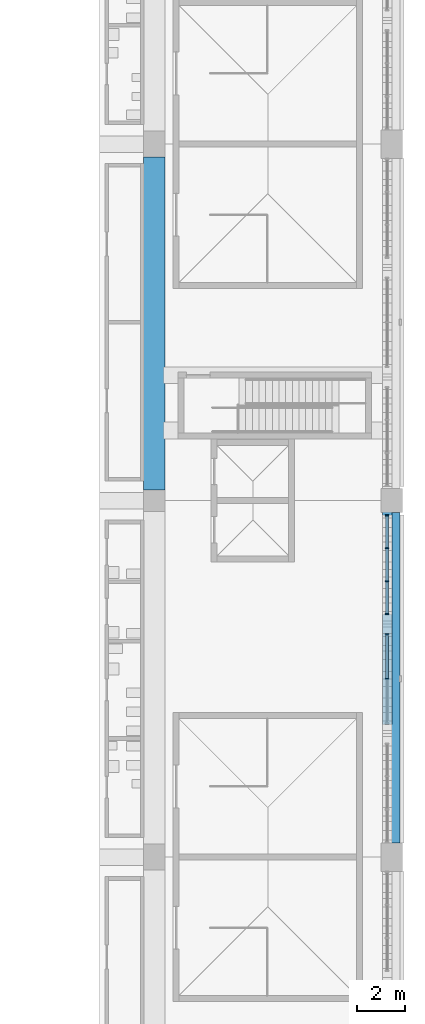
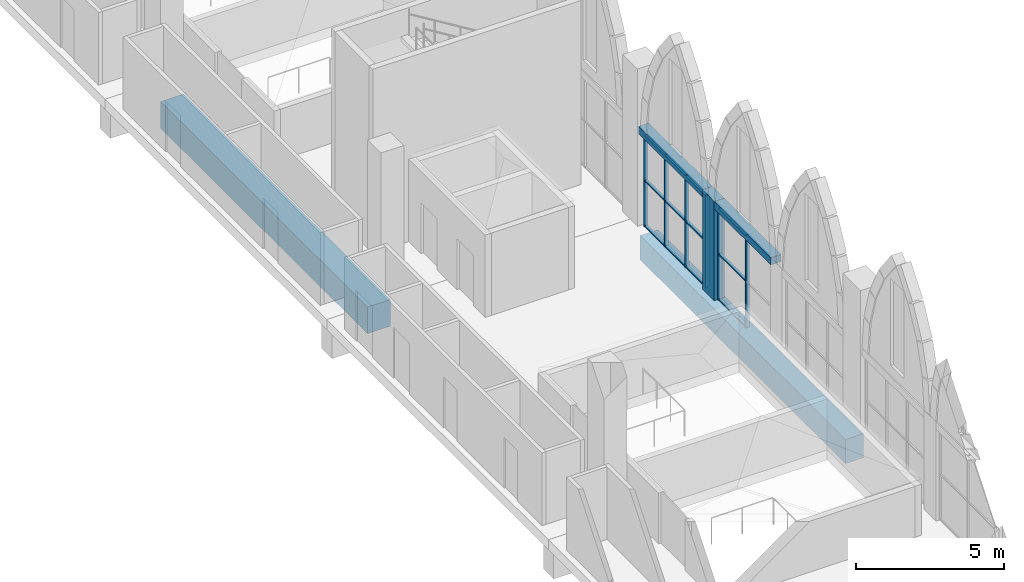
# One storey, part 25 of 130: 19 members, 4 beams, 2 elements without a shape of their own.
"""IFC4 building model written with IfcOpenShell, lengths in metres."""

from ifc_helpers import new_model, si_unit, direction, frame, origin, origin_2d, place, context, subcontext, project, spatial, rectangle, extrude, material, material_profile, profile_set, type_object, element, aggregate, save


model = new_model("IFC4")

# Units and contexts
model_context = context("Model", 3, precision=1e-05, world=origin(), true_north=direction((0.0, 1.0)))
body_context = subcontext(model_context, "Body", "Model", "MODEL_VIEW")
ifc_project = project(units=[si_unit("LENGTHUNIT", "METRE"), si_unit("AREAUNIT", "SQUARE_METRE"), si_unit("VOLUMEUNIT", "CUBIC_METRE"), si_unit("PLANEANGLEUNIT", "RADIAN"), si_unit("MASSUNIT", "GRAM", prefix="KILO")], contexts=[model_context])

# Site, building, storey
site_placement = place(None, origin())
site = spatial("IfcSite", under=ifc_project, at=site_placement, CompositionType="ELEMENT")
building_placement = place(site_placement, origin())
building = spatial("IfcBuilding", under=site, at=building_placement, Name="Ogive Plaza Stadium", CompositionType="ELEMENT")
storey_placement = place(building_placement, frame((0.0, 0.0, 22.5)))
storey = spatial("IfcBuildingStorey", under=building, at=storey_placement, Name="L05", CompositionType="ELEMENT", Elevation=22.5)

# Curtain wall, members
ifc_material_1 = material(Name="Bronze-anodised aluminium with laminated glass", Category="aluminium")
curtain_wall_type = type_object("IfcCurtainWallType", Name="Lancet curtain wall", PredefinedType="NOTDEFINED", material=ifc_material_1)
curtain_wall_1_placement = place(storey_placement, origin())
curtain_wall_1 = element("IfcCurtainWall", 1, at=curtain_wall_1_placement, inside=storey, type_object=curtain_wall_type, Name="CURTAIN WALL B05 L05", PredefinedType="NOTDEFINED")
ifc_material_2 = material(Name="Bronze-anodised aluminium", Category="aluminium")
ifc_material_profile_1 = material_profile(ifc_material_2, rectangle(XDim=0.14990234375, YDim=0.050048828125, at=origin_2d()), Name="AL 150x50")
ifc_profile_set_1 = profile_set([ifc_material_profile_1], Name="Bronze-anodised aluminium")
member_type_1 = type_object("IfcMemberType", Name="Curtain wall mullion 50x150", PredefinedType="MULLION", material=ifc_profile_set_1)
member_1_placement = place(storey_placement, frame((83.800048828125, -8.125, 0.0), z_axis=(0.0, 0.0, 1.0), x_axis=(1.0, 0.0, 0.0)))
member_1 = element("IfcMember", 2, at=member_1_placement, type_object=member_type_1, Name="CW-B05-L05.1 mullion 1", PredefinedType="MULLION", context=body_context, shape_type="SweptSolid", body=[
    extrude(rectangle(XDim=0.14990234375, YDim=0.050048828125, at=origin_2d()), origin(), (0.0, 0.0, 1.0), 3.800048828125),
])
member_2_placement = place(storey_placement, frame((83.800048828125, -9.5, 0.0), z_axis=(0.0, 0.0, 1.0), x_axis=(1.0, 0.0, 0.0)))
member_2 = element("IfcMember", 3, at=member_2_placement, type_object=member_type_1, Name="CW-B05-L05.1 mullion 2", PredefinedType="MULLION", context=body_context, shape_type="SweptSolid", body=[
    extrude(rectangle(XDim=0.14990234375, YDim=0.050048828125, at=origin_2d()), origin(), (0.0, 0.0, 1.0), 3.800048828125),
])
member_3_placement = place(storey_placement, frame((83.800048828125, -10.89990234375, 0.0), z_axis=(0.0, 0.0, 1.0), x_axis=(1.0, 0.0, 0.0)))
member_3 = element("IfcMember", 4, at=member_3_placement, type_object=member_type_1, Name="CW-B05-L05.1 mullion 3", PredefinedType="MULLION", context=body_context, shape_type="SweptSolid", body=[
    extrude(rectangle(XDim=0.14990234375, YDim=0.050048828125, at=origin_2d()), origin(), (0.0, 0.0, 1.0), 3.800048828125),
])
member_4_placement = place(storey_placement, frame((83.800048828125, -12.27490234375, 0.0), z_axis=(0.0, 0.0, 1.0), x_axis=(1.0, 0.0, 0.0)))
member_4 = element("IfcMember", 5, at=member_4_placement, type_object=member_type_1, Name="CW-B05-L05.1 mullion 4", PredefinedType="MULLION", context=body_context, shape_type="SweptSolid", body=[
    extrude(rectangle(XDim=0.14990234375, YDim=0.050048828125, at=origin_2d()), origin(), (0.0, 0.0, 1.0), 3.800048828125),
])

curtain_wall_2_placement = place(storey_placement, origin())
curtain_wall_2 = element("IfcCurtainWall", 6, at=curtain_wall_2_placement, inside=storey, type_object=curtain_wall_type, Name="CURTAIN WALL B05 L05", PredefinedType="NOTDEFINED")
member_5_placement = place(storey_placement, frame((83.800048828125, -13.125, 0.0), z_axis=(0.0, 0.0, 1.0), x_axis=(1.0, 0.0, 0.0)))
member_5 = element("IfcMember", 7, at=member_5_placement, type_object=member_type_1, Name="CW-B05-L05.2 mullion 1", PredefinedType="MULLION", context=body_context, shape_type="SweptSolid", body=[
    extrude(rectangle(XDim=0.14990234375, YDim=0.050048828125, at=origin_2d()), origin(), (0.0, 0.0, 1.0), 3.800048828125),
])
member_6_placement = place(storey_placement, frame((83.800048828125, -15.0, 0.0), z_axis=(0.0, 0.0, 1.0), x_axis=(1.0, 0.0, 0.0)))
member_6 = element("IfcMember", 8, at=member_6_placement, type_object=member_type_1, Name="CW-B05-L05.2 mullion 2", PredefinedType="MULLION", context=body_context, shape_type="SweptSolid", body=[
    extrude(rectangle(XDim=0.14990234375, YDim=0.050048828125, at=origin_2d()), origin(), (0.0, 0.0, 1.0), 3.800048828125),
])

# Member
ifc_material_3 = material(Name="Bronze-anodised aluminium", Category="aluminium")
ifc_material_profile_2 = material_profile(ifc_material_3, rectangle(XDim=0.1201171875, YDim=0.050048828125, at=origin_2d()), Name="AL 120x50")
ifc_profile_set_2 = profile_set([ifc_material_profile_2], Name="Bronze-anodised aluminium")
member_type_2 = type_object("IfcMemberType", Name="Curtain wall transom 50x120", PredefinedType="USERDEFINED", material=ifc_profile_set_2)
member_7_placement = place(storey_placement, frame((83.800048828125, -8.14990234375, 0.02490234375), z_axis=(0.0, -1.0, 0.0), x_axis=(1.0, 0.0, 0.0)))
member_7 = element("IfcMember", 9, at=member_7_placement, type_object=member_type_2, Name="CW-B05-L05.1 transom 1.1", ObjectType="TRANSOM", PredefinedType="USERDEFINED", context=body_context, shape_type="SweptSolid", body=[
    extrude(rectangle(XDim=0.1201171875, YDim=0.050048828125, at=origin_2d()), origin(), (0.0, 0.0, 1.0), 1.3251953125),
])

member_8_placement = place(storey_placement, frame((83.800048828125, -8.14990234375, 1.89990234375), z_axis=(0.0, -1.0, 0.0), x_axis=(1.0, 0.0, 0.0)))
member_8 = element("IfcMember", 10, at=member_8_placement, type_object=member_type_2, Name="CW-B05-L05.1 transom 1.2", ObjectType="TRANSOM", PredefinedType="USERDEFINED", context=body_context, shape_type="SweptSolid", body=[
    extrude(rectangle(XDim=0.1201171875, YDim=0.050048828125, at=origin_2d()), origin(), (0.0, 0.0, 1.0), 1.3251953125),
])

member_9_placement = place(storey_placement, frame((83.800048828125, -8.14990234375, 3.77490234375), z_axis=(0.0, -1.0, 0.0), x_axis=(1.0, 0.0, 0.0)))
member_9 = element("IfcMember", 11, at=member_9_placement, type_object=member_type_2, Name="CW-B05-L05.1 transom 1.3", ObjectType="TRANSOM", PredefinedType="USERDEFINED", context=body_context, shape_type="SweptSolid", body=[
    extrude(rectangle(XDim=0.1201171875, YDim=0.050048828125, at=origin_2d()), origin(), (0.0, 0.0, 1.0), 1.3251953125),
])

member_10_placement = place(storey_placement, frame((83.800048828125, -9.52490234375, 0.02490234375), z_axis=(0.0, -1.0, 0.0), x_axis=(1.0, 0.0, 0.0)))
member_10 = element("IfcMember", 12, at=member_10_placement, type_object=member_type_2, Name="CW-B05-L05.1 transom 2.1", ObjectType="TRANSOM", PredefinedType="USERDEFINED", context=body_context, shape_type="SweptSolid", body=[
    extrude(rectangle(XDim=0.1201171875, YDim=0.050048828125, at=origin_2d()), origin(), (0.0, 0.0, 1.0), 1.35009765625),
])

member_11_placement = place(storey_placement, frame((83.800048828125, -9.52490234375, 1.89990234375), z_axis=(0.0, -1.0, 0.0), x_axis=(1.0, 0.0, 0.0)))
member_11 = element("IfcMember", 13, at=member_11_placement, type_object=member_type_2, Name="CW-B05-L05.1 transom 2.2", ObjectType="TRANSOM", PredefinedType="USERDEFINED", context=body_context, shape_type="SweptSolid", body=[
    extrude(rectangle(XDim=0.1201171875, YDim=0.050048828125, at=origin_2d()), origin(), (0.0, 0.0, 1.0), 1.35009765625),
])

member_12_placement = place(storey_placement, frame((83.800048828125, -9.52490234375, 3.77490234375), z_axis=(0.0, -1.0, 0.0), x_axis=(1.0, 0.0, 0.0)))
member_12 = element("IfcMember", 14, at=member_12_placement, type_object=member_type_2, Name="CW-B05-L05.1 transom 2.3", ObjectType="TRANSOM", PredefinedType="USERDEFINED", context=body_context, shape_type="SweptSolid", body=[
    extrude(rectangle(XDim=0.1201171875, YDim=0.050048828125, at=origin_2d()), origin(), (0.0, 0.0, 1.0), 1.35009765625),
])

member_13_placement = place(storey_placement, frame((83.800048828125, -10.925048828125, 0.02490234375), z_axis=(0.0, -1.0, 0.0), x_axis=(1.0, 0.0, 0.0)))
member_13 = element("IfcMember", 15, at=member_13_placement, type_object=member_type_2, Name="CW-B05-L05.1 transom 3.1", ObjectType="TRANSOM", PredefinedType="USERDEFINED", context=body_context, shape_type="SweptSolid", body=[
    extrude(rectangle(XDim=0.1201171875, YDim=0.050048828125, at=origin_2d()), origin(), (0.0, 0.0, 1.0), 1.324951171875),
])

member_14_placement = place(storey_placement, frame((83.800048828125, -10.925048828125, 1.89990234375), z_axis=(0.0, -1.0, 0.0), x_axis=(1.0, 0.0, 0.0)))
member_14 = element("IfcMember", 16, at=member_14_placement, type_object=member_type_2, Name="CW-B05-L05.1 transom 3.2", ObjectType="TRANSOM", PredefinedType="USERDEFINED", context=body_context, shape_type="SweptSolid", body=[
    extrude(rectangle(XDim=0.1201171875, YDim=0.050048828125, at=origin_2d()), origin(), (0.0, 0.0, 1.0), 1.324951171875),
])

member_15_placement = place(storey_placement, frame((83.800048828125, -10.925048828125, 3.77490234375), z_axis=(0.0, -1.0, 0.0), x_axis=(1.0, 0.0, 0.0)))
member_15 = element("IfcMember", 17, at=member_15_placement, type_object=member_type_2, Name="CW-B05-L05.1 transom 3.3", ObjectType="TRANSOM", PredefinedType="USERDEFINED", context=body_context, shape_type="SweptSolid", body=[
    extrude(rectangle(XDim=0.1201171875, YDim=0.050048828125, at=origin_2d()), origin(), (0.0, 0.0, 1.0), 1.324951171875),
])

aggregate(curtain_wall_1, [member_1, member_2, member_3, member_4, member_7, member_8, member_9, member_10, member_11, member_12, member_13, member_14, member_15])

member_16_placement = place(storey_placement, frame((83.800048828125, -13.14990234375, 0.02490234375), z_axis=(0.0, -1.0, 0.0), x_axis=(1.0, 0.0, 0.0)))
member_16 = element("IfcMember", 18, at=member_16_placement, type_object=member_type_2, Name="CW-B05-L05.2 transom 1.1", ObjectType="TRANSOM", PredefinedType="USERDEFINED", context=body_context, shape_type="SweptSolid", body=[
    extrude(rectangle(XDim=0.1201171875, YDim=0.050048828125, at=origin_2d()), origin(), (0.0, 0.0, 1.0), 1.8251953125),
])

member_17_placement = place(storey_placement, frame((83.800048828125, -13.14990234375, 1.89990234375), z_axis=(0.0, -1.0, 0.0), x_axis=(1.0, 0.0, 0.0)))
member_17 = element("IfcMember", 19, at=member_17_placement, type_object=member_type_2, Name="CW-B05-L05.2 transom 1.2", ObjectType="TRANSOM", PredefinedType="USERDEFINED", context=body_context, shape_type="SweptSolid", body=[
    extrude(rectangle(XDim=0.1201171875, YDim=0.050048828125, at=origin_2d()), origin(), (0.0, 0.0, 1.0), 1.8251953125),
])

member_18_placement = place(storey_placement, frame((83.800048828125, -13.14990234375, 3.77490234375), z_axis=(0.0, -1.0, 0.0), x_axis=(1.0, 0.0, 0.0)))
member_18 = element("IfcMember", 20, at=member_18_placement, type_object=member_type_2, Name="CW-B05-L05.2 transom 1.3", ObjectType="TRANSOM", PredefinedType="USERDEFINED", context=body_context, shape_type="SweptSolid", body=[
    extrude(rectangle(XDim=0.1201171875, YDim=0.050048828125, at=origin_2d()), origin(), (0.0, 0.0, 1.0), 1.8251953125),
])

aggregate(curtain_wall_2, [member_5, member_6, member_16, member_17, member_18])

ifc_material_4 = material(Name="Concrete C45/55 precast", Category="concrete")
ifc_material_profile_3 = material_profile(ifc_material_4, rectangle(XDim=0.39990234375, YDim=0.800048828125, at=origin_2d()), Name="RC 400x800")
ifc_profile_set_3 = profile_set([ifc_material_profile_3], Name="Concrete C45/55 precast")
member_type_3 = type_object("IfcMemberType", Name="Precast colonette 800x400", PredefinedType="POST", material=ifc_profile_set_3)
member_19_placement = place(storey_placement, frame((83.800048828125, -12.699951171875, 0.0), z_axis=(0.0, 0.0, 1.0), x_axis=(1.0, 0.0, 0.0)))
element("IfcMember", 21, at=member_19_placement, inside=storey, type_object=member_type_3, Name="COLONETTE B05 1", PredefinedType="POST", context=body_context, shape_type="SweptSolid", body=[
    extrude(rectangle(XDim=0.39990234375, YDim=0.800048828125, at=origin_2d()), origin(), (0.0, 0.0, 1.0), 4.10009765625),
])

# Beams
ifc_material_5 = material(Name="Concrete C45/55 precast", Category="concrete")
ifc_material_profile_4 = material_profile(ifc_material_5, rectangle(XDim=0.39990234375, YDim=0.300048828125, at=origin_2d()), Name="RC 400x300")
ifc_profile_set_4 = profile_set([ifc_material_profile_4], Name="Concrete C45/55 precast")
beam_type_1 = type_object("IfcBeamType", Name="Precast tympanum lintel 400x300", PredefinedType="BEAM", material=ifc_profile_set_4)
beam_1_placement = place(storey_placement, frame((83.800048828125, -7.969970703125, 3.949951171875), z_axis=(0.0, -1.0, 0.0), x_axis=(1.0, 0.0, 0.0)))
element("IfcBeam", 22, at=beam_1_placement, inside=storey, type_object=beam_type_1, Name="TYMPANUM LINTEL B05 1", PredefinedType="BEAM", context=body_context, shape_type="SweptSolid", body=[
    extrude(rectangle(XDim=0.39990234375, YDim=0.300048828125, at=origin_2d()), origin(), (0.0, 0.0, 1.0), 4.360107421875),
])
beam_2_placement = place(storey_placement, frame((83.800048828125, -13.070068359375, 3.949951171875), z_axis=(0.0, -1.0, 0.0), x_axis=(1.0, 0.0, 0.0)))
element("IfcBeam", 23, at=beam_2_placement, inside=storey, type_object=beam_type_1, Name="TYMPANUM LINTEL B05 2", PredefinedType="BEAM", context=body_context, shape_type="SweptSolid", body=[
    extrude(rectangle(XDim=0.39990234375, YDim=0.300048828125, at=origin_2d()), origin(), (0.0, 0.0, 1.0), 3.85986328125),
])
ifc_material_6 = material(Name="Concrete C40/50", Category="concrete")
ifc_material_profile_5 = material_profile(ifc_material_6, rectangle(XDim=0.89990234375, YDim=1.10009765625, at=origin_2d()), Name="RC 900x1100")
ifc_profile_set_5 = profile_set([ifc_material_profile_5], Name="Concrete C40/50")
beam_type_2 = type_object("IfcBeamType", Name="RC ring beam 900x1100", PredefinedType="BEAM", material=ifc_profile_set_5)
beam_3_placement = place(storey_placement, frame((74.0, 6.949951171875, -0.9599609375), z_axis=(0.0, -1.0, 0.0), x_axis=(1.0, 0.0, 0.0)))
element("IfcBeam", 24, at=beam_3_placement, inside=storey, type_object=beam_type_2, Name="Ring beam F4 L05 B04", PredefinedType="BEAM", context=body_context, shape_type="SweptSolid", body=[
    extrude(rectangle(XDim=0.89990234375, YDim=1.10009765625, at=origin_2d()), origin(), (0.0, 0.0, 1.0), 14.0),
])
ifc_material_7 = material(Name="Concrete C40/50", Category="concrete")
ifc_material_profile_6 = material_profile(ifc_material_7, rectangle(XDim=0.699951171875, YDim=1.0, at=origin_2d()), Name="RC 700x1000")
ifc_profile_set_6 = profile_set([ifc_material_profile_6], Name="Concrete C40/50")
beam_type_3 = type_object("IfcBeamType", Name="RC spandrel beam 700x1000", PredefinedType="SPANDREL", material=ifc_profile_set_6)
beam_4_placement = place(storey_placement, frame((84.0, -8.0, -0.909912109375), z_axis=(0.0, -1.0, 0.0), x_axis=(1.0, 0.0, 0.0)))
element("IfcBeam", 25, at=beam_4_placement, inside=storey, type_object=beam_type_3, Name="Ring beam F5 L05 B05", PredefinedType="SPANDREL", context=body_context, shape_type="SweptSolid", body=[
    extrude(rectangle(XDim=0.699951171875, YDim=1.0, at=origin_2d()), origin(), (0.0, 0.0, 1.0), 13.89990234375),
])

save(model, "model.ifc")
